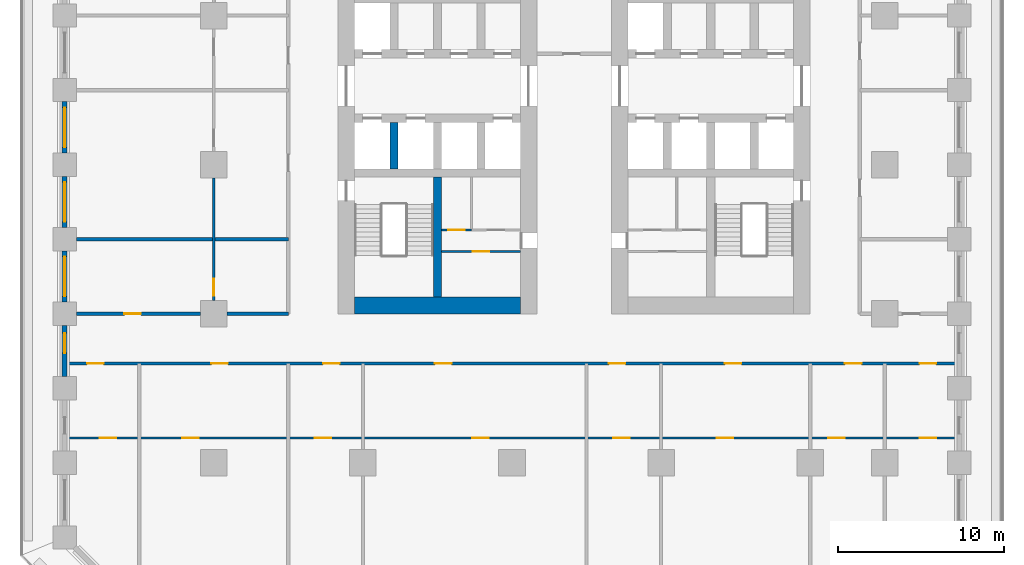
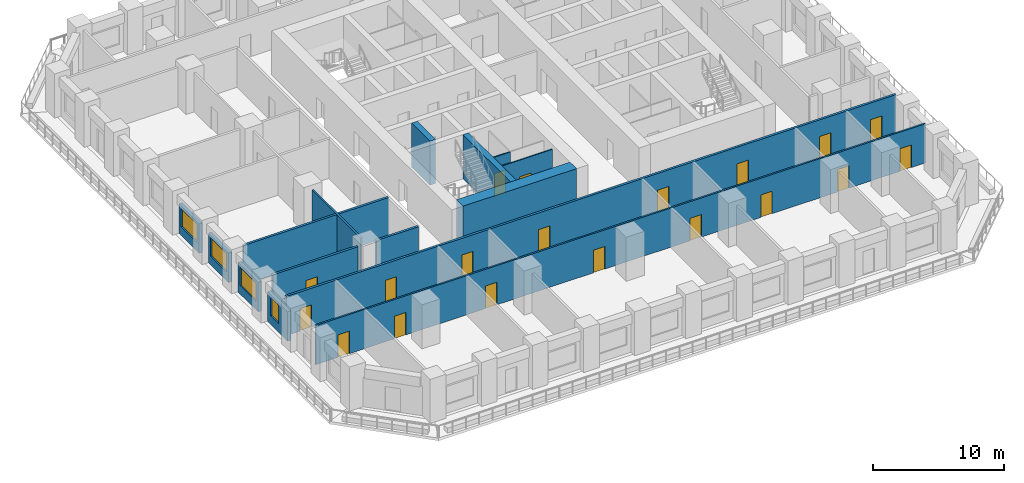
# One storey, part 3 of 12: 20 doors, 15 walls, 4 windows, 24 openings.
"""IFC4 building model written with IfcOpenShell, lengths in metres."""

from ifc_helpers import new_model, si_unit, direction, frame, frame_2d, origin, place, context, subcontext, project, spatial, rectangle, extrude, material, layer, layer_set, type_object, element, fill, save


model = new_model("IFC4")

# Units and contexts
model_context = context("Model", 3, precision=1e-05, world=origin(), true_north=direction((0.0, 1.0)))
body_context = subcontext(model_context, "Body", "Model", "MODEL_VIEW")
ifc_project = project(units=[si_unit("LENGTHUNIT", "METRE"), si_unit("AREAUNIT", "SQUARE_METRE"), si_unit("VOLUMEUNIT", "CUBIC_METRE"), si_unit("PLANEANGLEUNIT", "RADIAN"), si_unit("MASSUNIT", "GRAM", prefix="KILO")], contexts=[model_context])

# Site, building, storey
site_placement = place(None, origin())
site = spatial("IfcSite", under=ifc_project, at=site_placement, CompositionType="ELEMENT")
building_placement = place(site_placement, origin())
building = spatial("IfcBuilding", under=site, at=building_placement, Name="Corbel Stack Research Tower", CompositionType="ELEMENT")
storey_placement = place(building_placement, frame((0.0, 0.0, 27.699951171875)))
storey = spatial("IfcBuildingStorey", under=building, at=storey_placement, Name="L06", CompositionType="ELEMENT", Elevation=27.699951171875)

# Walls
ifc_material_1 = material(Name="Concrete C70/85", Category="concrete")
ifc_layer_1 = layer(ifc_material_1, 1.0)
ifc_layer_set_1 = layer_set([ifc_layer_1], Name="Concrete C70/85")
wall_type_1 = type_object("IfcWallType", Name="CW-1000-70", PredefinedType="SHEAR", material=ifc_layer_set_1)
wall_1_placement = place(storey_placement, frame((-9.5, -8.5, 0.0), z_axis=(0.0, 0.0, 1.0), x_axis=(1.0, 0.0, 0.0)))
element("IfcWall", 1, at=wall_1_placement, inside=storey, type_object=wall_type_1, Name="West core wall, south end L06", PredefinedType="SHEAR", context=body_context, shape_type="SweptSolid", body=[
    extrude(rectangle(XDim=10.0, YDim=1.0, at=frame_2d((5.0, 0.0))), origin(), (0.0, 0.0, 1.0), 4.10009765625),
])
ifc_material_2 = material(Name="Concrete C70/85", Category="concrete")
ifc_layer_2 = layer(ifc_material_2, 0.5)
ifc_layer_set_2 = layer_set([ifc_layer_2], Name="Concrete C70/85")
wall_type_2 = type_object("IfcWallType", Name="CW-500-70", PredefinedType="SHEAR", material=ifc_layer_set_2)
wall_2_placement = place(storey_placement, frame((-7.125, -0.25, 0.0), z_axis=(0.0, 0.0, 1.0), x_axis=(0.0, 1.0, 0.0)))
element("IfcWall", 2, at=wall_2_placement, inside=storey, type_object=wall_type_2, Name="West core wall, south shaft 1 L06", PredefinedType="SHEAR", context=body_context, shape_type="SweptSolid", body=[
    extrude(rectangle(XDim=2.800048828125, YDim=0.5, at=frame_2d((1.39990234375, 0.0))), origin(), (0.0, 0.0, 1.0), 4.10009765625),
])
wall_3_placement = place(storey_placement, frame((-4.5, -8.0, 0.0), z_axis=(0.0, 0.0, 1.0), x_axis=(0.0, 1.0, 0.0)))
element("IfcWall", 3, at=wall_3_placement, inside=storey, type_object=wall_type_2, Name="West core wall, south stair and WC L06", PredefinedType="SHEAR", context=body_context, shape_type="SweptSolid", body=[
    extrude(rectangle(XDim=7.25, YDim=0.5, at=frame_2d((3.625, 0.0))), origin(), (0.0, 0.0, 1.0), 4.10009765625),
])

# Wall, opening, door
ifc_material_3 = material(Name="Gypsum board")
ifc_layer_3 = layer(ifc_material_3, 0.10009765625)
ifc_layer_set_3 = layer_set([ifc_layer_3], Name="Gypsum board")
wall_type_3 = type_object("IfcWallType", Name="Core partition 100", PredefinedType="PARTITIONING", material=ifc_layer_set_3)
wall_4_placement = place(storey_placement, frame((-4.25, -5.2451171875, 0.0), z_axis=(0.0, 0.0, 1.0), x_axis=(1.0, 0.0, 0.0)))
wall_4 = element("IfcWall", 4, at=wall_4_placement, inside=storey, type_object=wall_type_3, Name="Core partition W", PredefinedType="PARTITIONING", context=body_context, shape_type="SweptSolid", body=[
    extrude(rectangle(XDim=4.75, YDim=0.10009765625, at=frame_2d((2.375, 0.0))), origin(), (0.0, 0.0, 1.0), 3.650146484375),
])
opening_1_placement = place(wall_4_placement, frame((1.875, 0.0, 0.0)))
opening_1 = element("IfcOpeningElement", 5, at=opening_1_placement, cuts=wall_4, Name="Opening CR-W24-W2-1000", PredefinedType="OPENING", context=body_context, shape_type="SweptSolid", body=[
    extrude(rectangle(XDim=1.0, YDim=2.10009765625, at=frame_2d((0.5, 1.050048828125))), frame((0.0, 0.06005859375, 0.0), z_axis=(0.0, -1.0, 0.0), x_axis=(1.0, 0.0, 0.0)), (0.0, 0.0, 1.0), 0.1201171875),
])
ifc_material_4 = material(Name="Painted timber door", Category="wood")
door_type_1 = type_object("IfcDoorType", Name="WC door 1000 x 2100 right hand", OperationType="SINGLE_SWING_RIGHT", PredefinedType="DOOR", material=ifc_material_4)
door_1_placement = place(opening_1_placement, origin())
door_1 = element("IfcDoor", 6, at=door_1_placement, inside=storey, type_object=door_type_1, Name="Men's WC door W core", OperationType="SINGLE_SWING_RIGHT", OverallHeight=2.10009765625, OverallWidth=1.0, PredefinedType="DOOR", context=body_context, shape_type="SweptSolid", body=[
    extrude(rectangle(XDim=1.0, YDim=2.10009765625, at=frame_2d((0.5, 1.050048828125))), frame((0.0, 0.02490234375, 0.0), z_axis=(0.0, -1.0, 0.0), x_axis=(1.0, 0.0, 0.0)), (0.0, 0.0, 1.0), 0.050048828125),
])
fill(opening_1, door_1)

wall_5_placement = place(storey_placement, frame((-4.25, -3.93994140625, 0.0), z_axis=(0.0, 0.0, 1.0), x_axis=(1.0, 0.0, 0.0)))
wall_5 = element("IfcWall", 7, at=wall_5_placement, inside=storey, type_object=wall_type_3, Name="Core partition W", PredefinedType="PARTITIONING", context=body_context, shape_type="SweptSolid", body=[
    extrude(rectangle(XDim=1.804931640625, YDim=0.10009765625, at=frame_2d((0.90234375, 0.0))), origin(), (0.0, 0.0, 1.0), 3.650146484375),
])
opening_2_placement = place(wall_5_placement, frame((0.402587890625, 0.0, 0.0)))
opening_2 = element("IfcOpeningElement", 8, at=opening_2_placement, cuts=wall_5, Name="Opening CR-W24-W4-1000", PredefinedType="OPENING", context=body_context, shape_type="SweptSolid", body=[
    extrude(rectangle(XDim=1.0, YDim=2.10009765625, at=frame_2d((0.5, 1.050048828125))), frame((0.0, 0.06005859375, 0.0), z_axis=(0.0, -1.0, 0.0), x_axis=(1.0, 0.0, 0.0)), (0.0, 0.0, 1.0), 0.1201171875),
])
door_2_placement = place(opening_2_placement, origin())
door_2 = element("IfcDoor", 9, at=door_2_placement, inside=storey, type_object=door_type_1, Name="Accessible WC door W core", OperationType="SINGLE_SWING_RIGHT", OverallHeight=2.10009765625, OverallWidth=1.0, PredefinedType="DOOR", context=body_context, shape_type="SweptSolid", body=[
    extrude(rectangle(XDim=1.0, YDim=2.10009765625, at=frame_2d((0.5, 1.050048828125))), frame((0.0, 0.02490234375, 0.0), z_axis=(0.0, -1.0, 0.0), x_axis=(1.0, 0.0, 0.0)), (0.0, 0.0, 1.0), 0.050048828125),
])
fill(opening_2, door_2)

# Wall, openings, doors
ifc_material_5 = material(Name="Fire-rated gypsum board partition on steel studs", Category="steel")
ifc_layer_4 = layer(ifc_material_5, 0.199951171875)
ifc_layer_set_4 = layer_set([ifc_layer_4], Name="Fire-rated gypsum board partition on steel studs")
wall_type_4 = type_object("IfcWallType", Name="Fire-rated partition 200 EI 60", PredefinedType="PARTITIONING", material=ifc_layer_set_4)
wall_6_placement = place(storey_placement, frame((26.85009765625, -12.0, 0.0), z_axis=(0.0, 0.0, 1.0), x_axis=(-1.0, 0.0, 0.0)))
wall_6 = element("IfcWall", 10, at=wall_6_placement, inside=storey, type_object=wall_type_4, Name="Partition L06-025", PredefinedType="PARTITIONING", context=body_context, shape_type="SweptSolid", body=[
    extrude(rectangle(XDim=53.7001953125, YDim=0.199951171875, at=frame_2d((26.85009765625, 0.0))), origin(), (0.0, 0.0, 1.0), 3.650146484375),
])
opening_3_placement = place(wall_6_placement, frame((51.5, 0.0, 0.0)))
opening_3 = element("IfcOpeningElement", 11, at=opening_3_placement, cuts=wall_6, Name="Opening B1V1-016", PredefinedType="OPENING", context=body_context, shape_type="SweptSolid", body=[
    extrude(rectangle(XDim=1.0, YDim=2.10009765625, at=frame_2d((0.5, 1.050048828125))), frame((0.0, 0.10986328125, 0.0), z_axis=(0.0, -1.0, 0.0), x_axis=(1.0, 0.0, 0.0)), (0.0, 0.0, 1.0), 0.219970703125),
])
opening_4_placement = place(wall_6_placement, frame((44.0, 0.0, 0.0)))
opening_4 = element("IfcOpeningElement", 12, at=opening_4_placement, cuts=wall_6, Name="Opening B1V1-017", PredefinedType="OPENING", context=body_context, shape_type="SweptSolid", body=[
    extrude(rectangle(XDim=1.0, YDim=2.10009765625, at=frame_2d((0.5, 1.050048828125))), frame((0.0, 0.10986328125, 0.0), z_axis=(0.0, -1.0, 0.0), x_axis=(1.0, 0.0, 0.0)), (0.0, 0.0, 1.0), 0.219970703125),
])
opening_5_placement = place(wall_6_placement, frame((37.25, 0.0, 0.0)))
opening_5 = element("IfcOpeningElement", 13, at=opening_5_placement, cuts=wall_6, Name="Opening B1V1-018", PredefinedType="OPENING", context=body_context, shape_type="SweptSolid", body=[
    extrude(rectangle(XDim=1.0, YDim=2.10009765625, at=frame_2d((0.5, 1.050048828125))), frame((0.0, 0.10986328125, 0.0), z_axis=(0.0, -1.0, 0.0), x_axis=(1.0, 0.0, 0.0)), (0.0, 0.0, 1.0), 0.219970703125),
])
opening_6_placement = place(wall_6_placement, frame((30.5, 0.0, 0.0)))
opening_6 = element("IfcOpeningElement", 14, at=opening_6_placement, cuts=wall_6, Name="Opening B1V1-019", PredefinedType="OPENING", context=body_context, shape_type="SweptSolid", body=[
    extrude(rectangle(XDim=1.0, YDim=2.10009765625, at=frame_2d((0.5, 1.050048828125))), frame((0.0, 0.10986328125, 0.0), z_axis=(0.0, -1.0, 0.0), x_axis=(1.0, 0.0, 0.0)), (0.0, 0.0, 1.0), 0.219970703125),
])
opening_7_placement = place(wall_6_placement, frame((20.0, 0.0, 0.0)))
opening_7 = element("IfcOpeningElement", 15, at=opening_7_placement, cuts=wall_6, Name="Opening B1V1-020", PredefinedType="OPENING", context=body_context, shape_type="SweptSolid", body=[
    extrude(rectangle(XDim=1.0, YDim=2.10009765625, at=frame_2d((0.5, 1.050048828125))), frame((0.0, 0.10986328125, 0.0), z_axis=(0.0, -1.0, 0.0), x_axis=(1.0, 0.0, 0.0)), (0.0, 0.0, 1.0), 0.219970703125),
])
opening_8_placement = place(wall_6_placement, frame((13.0, 0.0, 0.0)))
opening_8 = element("IfcOpeningElement", 16, at=opening_8_placement, cuts=wall_6, Name="Opening B1V1-021", PredefinedType="OPENING", context=body_context, shape_type="SweptSolid", body=[
    extrude(rectangle(XDim=1.0, YDim=2.10009765625, at=frame_2d((0.5, 1.050048828125))), frame((0.0, 0.10986328125, 0.0), z_axis=(0.0, -1.0, 0.0), x_axis=(1.0, 0.0, 0.0)), (0.0, 0.0, 1.0), 0.219970703125),
])
opening_9_placement = place(wall_6_placement, frame((5.75, 0.0, 0.0)))
opening_9 = element("IfcOpeningElement", 17, at=opening_9_placement, cuts=wall_6, Name="Opening B1V1-022", PredefinedType="OPENING", context=body_context, shape_type="SweptSolid", body=[
    extrude(rectangle(XDim=1.0, YDim=2.10009765625, at=frame_2d((0.5, 1.050048828125))), frame((0.0, 0.10986328125, 0.0), z_axis=(0.0, -1.0, 0.0), x_axis=(1.0, 0.0, 0.0)), (0.0, 0.0, 1.0), 0.219970703125),
])
opening_10_placement = place(wall_6_placement, frame((1.25, 0.0, 0.0)))
opening_10 = element("IfcOpeningElement", 18, at=opening_10_placement, cuts=wall_6, Name="Opening B1V1-023", PredefinedType="OPENING", context=body_context, shape_type="SweptSolid", body=[
    extrude(rectangle(XDim=1.0, YDim=2.10009765625, at=frame_2d((0.5, 1.050048828125))), frame((0.0, 0.10986328125, 0.0), z_axis=(0.0, -1.0, 0.0), x_axis=(1.0, 0.0, 0.0)), (0.0, 0.0, 1.0), 0.219970703125),
])
ifc_material_6 = material(Name="Painted steel fire door", Category="steel")
door_type_2 = type_object("IfcDoorType", Name="Fire door FD30S 1000 x 2100", OperationType="NOTDEFINED", PredefinedType="DOOR", material=ifc_material_6)
door_3_placement = place(opening_3_placement, origin())
door_3 = element("IfcDoor", 19, at=door_3_placement, inside=storey, type_object=door_type_2, Name="Door B1V1-016", OperationType="SINGLE_SWING_RIGHT", OverallHeight=2.10009765625, OverallWidth=1.0, PredefinedType="DOOR", context=body_context, shape_type="SweptSolid", body=[
    extrude(rectangle(XDim=1.0, YDim=2.10009765625, at=frame_2d((0.5, 1.050048828125))), frame((0.0, 0.02490234375, 0.0), z_axis=(0.0, -1.0, 0.0), x_axis=(1.0, 0.0, 0.0)), (0.0, 0.0, 1.0), 0.050048828125),
])
fill(opening_3, door_3)
door_4_placement = place(opening_4_placement, origin())
door_4 = element("IfcDoor", 20, at=door_4_placement, inside=storey, type_object=door_type_2, Name="Door B1V1-017", OperationType="SINGLE_SWING_RIGHT", OverallHeight=2.10009765625, OverallWidth=1.0, PredefinedType="DOOR", context=body_context, shape_type="SweptSolid", body=[
    extrude(rectangle(XDim=1.0, YDim=2.10009765625, at=frame_2d((0.5, 1.050048828125))), frame((0.0, 0.02490234375, 0.0), z_axis=(0.0, -1.0, 0.0), x_axis=(1.0, 0.0, 0.0)), (0.0, 0.0, 1.0), 0.050048828125),
])
fill(opening_4, door_4)
door_5_placement = place(opening_5_placement, origin())
door_5 = element("IfcDoor", 21, at=door_5_placement, inside=storey, type_object=door_type_2, Name="Door B1V1-018", OperationType="SINGLE_SWING_RIGHT", OverallHeight=2.10009765625, OverallWidth=1.0, PredefinedType="DOOR", context=body_context, shape_type="SweptSolid", body=[
    extrude(rectangle(XDim=1.0, YDim=2.10009765625, at=frame_2d((0.5, 1.050048828125))), frame((0.0, 0.02490234375, 0.0), z_axis=(0.0, -1.0, 0.0), x_axis=(1.0, 0.0, 0.0)), (0.0, 0.0, 1.0), 0.050048828125),
])
fill(opening_5, door_5)
door_6_placement = place(opening_6_placement, origin())
door_6 = element("IfcDoor", 22, at=door_6_placement, inside=storey, type_object=door_type_2, Name="Door B1V1-019", OperationType="SINGLE_SWING_RIGHT", OverallHeight=2.10009765625, OverallWidth=1.0, PredefinedType="DOOR", context=body_context, shape_type="SweptSolid", body=[
    extrude(rectangle(XDim=1.0, YDim=2.10009765625, at=frame_2d((0.5, 1.050048828125))), frame((0.0, 0.02490234375, 0.0), z_axis=(0.0, -1.0, 0.0), x_axis=(1.0, 0.0, 0.0)), (0.0, 0.0, 1.0), 0.050048828125),
])
fill(opening_6, door_6)
door_7_placement = place(opening_7_placement, origin())
door_7 = element("IfcDoor", 23, at=door_7_placement, inside=storey, type_object=door_type_2, Name="Door B1V1-020", OperationType="SINGLE_SWING_LEFT", OverallHeight=2.10009765625, OverallWidth=1.0, PredefinedType="DOOR", context=body_context, shape_type="SweptSolid", body=[
    extrude(rectangle(XDim=1.0, YDim=2.10009765625, at=frame_2d((0.5, 1.050048828125))), frame((0.0, 0.02490234375, 0.0), z_axis=(0.0, -1.0, 0.0), x_axis=(1.0, 0.0, 0.0)), (0.0, 0.0, 1.0), 0.050048828125),
])
fill(opening_7, door_7)
door_8_placement = place(opening_8_placement, origin())
door_8 = element("IfcDoor", 24, at=door_8_placement, inside=storey, type_object=door_type_2, Name="Door B1V1-021", OperationType="SINGLE_SWING_LEFT", OverallHeight=2.10009765625, OverallWidth=1.0, PredefinedType="DOOR", context=body_context, shape_type="SweptSolid", body=[
    extrude(rectangle(XDim=1.0, YDim=2.10009765625, at=frame_2d((0.5, 1.050048828125))), frame((0.0, 0.02490234375, 0.0), z_axis=(0.0, -1.0, 0.0), x_axis=(1.0, 0.0, 0.0)), (0.0, 0.0, 1.0), 0.050048828125),
])
fill(opening_8, door_8)
door_9_placement = place(opening_9_placement, origin())
door_9 = element("IfcDoor", 25, at=door_9_placement, inside=storey, type_object=door_type_2, Name="Door B1V1-022", OperationType="SINGLE_SWING_LEFT", OverallHeight=2.10009765625, OverallWidth=1.0, PredefinedType="DOOR", context=body_context, shape_type="SweptSolid", body=[
    extrude(rectangle(XDim=1.0, YDim=2.10009765625, at=frame_2d((0.5, 1.050048828125))), frame((0.0, 0.02490234375, 0.0), z_axis=(0.0, -1.0, 0.0), x_axis=(1.0, 0.0, 0.0)), (0.0, 0.0, 1.0), 0.050048828125),
])
fill(opening_9, door_9)
door_10_placement = place(opening_10_placement, origin())
door_10 = element("IfcDoor", 26, at=door_10_placement, inside=storey, type_object=door_type_2, Name="Door B1V1-023", OperationType="SINGLE_SWING_LEFT", OverallHeight=2.10009765625, OverallWidth=1.0, PredefinedType="DOOR", context=body_context, shape_type="SweptSolid", body=[
    extrude(rectangle(XDim=1.0, YDim=2.10009765625, at=frame_2d((0.5, 1.050048828125))), frame((0.0, 0.02490234375, 0.0), z_axis=(0.0, -1.0, 0.0), x_axis=(1.0, 0.0, 0.0)), (0.0, 0.0, 1.0), 0.050048828125),
])
fill(opening_10, door_10)

# Wall, opening, door
wall_7_placement = place(storey_placement, frame((-26.300048828125, -9.0, 0.0), z_axis=(0.0, 0.0, 1.0), x_axis=(1.0, 0.0, 0.0)))
wall_7 = element("IfcWall", 27, at=wall_7_placement, inside=storey, type_object=wall_type_4, Name="Partition L06-026", PredefinedType="PARTITIONING", context=body_context, shape_type="SweptSolid", body=[
    extrude(rectangle(XDim=7.5, YDim=0.199951171875, at=frame_2d((3.75, 0.0))), origin(), (0.0, 0.0, 1.0), 3.650146484375),
])
opening_11_placement = place(wall_7_placement, frame((2.89990234375, 0.0, 0.0)))
opening_11 = element("IfcOpeningElement", 28, at=opening_11_placement, cuts=wall_7, Name="Opening B1V1-024", PredefinedType="OPENING", context=body_context, shape_type="SweptSolid", body=[
    extrude(rectangle(XDim=1.0, YDim=2.10009765625, at=frame_2d((0.5, 1.050048828125))), frame((0.0, 0.10986328125, 0.0), z_axis=(0.0, -1.0, 0.0), x_axis=(1.0, 0.0, 0.0)), (0.0, 0.0, 1.0), 0.219970703125),
])
door_11_placement = place(opening_11_placement, origin())
door_11 = element("IfcDoor", 29, at=door_11_placement, inside=storey, type_object=door_type_2, Name="Door B1V1-024", OperationType="SINGLE_SWING_LEFT", OverallHeight=2.10009765625, OverallWidth=1.0, PredefinedType="DOOR", context=body_context, shape_type="SweptSolid", body=[
    extrude(rectangle(XDim=1.0, YDim=2.10009765625, at=frame_2d((0.5, 1.050048828125))), frame((0.0, 0.02490234375, 0.0), z_axis=(0.0, -1.0, 0.0), x_axis=(1.0, 0.0, 0.0)), (0.0, 0.0, 1.0), 0.050048828125),
])
fill(opening_11, door_11)

# Walls
wall_8_placement = place(storey_placement, frame((-17.199951171875, -9.0, 0.0), z_axis=(0.0, 0.0, 1.0), x_axis=(1.0, 0.0, 0.0)))
element("IfcWall", 30, at=wall_8_placement, inside=storey, type_object=wall_type_4, Name="Partition L06-027", PredefinedType="PARTITIONING", context=body_context, shape_type="SweptSolid", body=[
    extrude(rectangle(XDim=3.699951171875, YDim=0.199951171875, at=frame_2d((1.85009765625, 0.0))), origin(), (0.0, 0.0, 1.0), 3.650146484375),
])
wall_9_placement = place(storey_placement, frame((-26.300048828125, -4.5, 0.0), z_axis=(0.0, 0.0, 1.0), x_axis=(1.0, 0.0, 0.0)))
element("IfcWall", 31, at=wall_9_placement, inside=storey, type_object=wall_type_4, Name="Partition L06-030", PredefinedType="PARTITIONING", context=body_context, shape_type="SweptSolid", body=[
    extrude(rectangle(XDim=12.800048828125, YDim=0.199951171875, at=frame_2d((6.39990234375, 0.0))), origin(), (0.0, 0.0, 1.0), 3.650146484375),
])

# Wall, opening, door
ifc_material_7 = material(Name="Gypsum board partition on steel studs", Category="steel")
ifc_layer_5 = layer(ifc_material_7, 0.14990234375)
ifc_layer_set_5 = layer_set([ifc_layer_5], Name="Gypsum board partition on steel studs")
wall_type_5 = type_object("IfcWallType", Name="Partition 150", PredefinedType="PARTITIONING", material=ifc_layer_set_5)
wall_10_placement = place(storey_placement, frame((-18.0, -0.800048828125, 0.0), z_axis=(0.0, 0.0, 1.0), x_axis=(0.0, -1.0, 0.0)))
wall_10 = element("IfcWall", 32, at=wall_10_placement, inside=storey, type_object=wall_type_5, Name="Partition L06-003", PredefinedType="PARTITIONING", context=body_context, shape_type="SweptSolid", body=[
    extrude(rectangle(XDim=7.39990234375, YDim=0.14990234375, at=frame_2d((3.699951171875, 0.0))), origin(), (0.0, 0.0, 1.0), 3.650146484375),
])
opening_12_placement = place(wall_10_placement, frame((6.10009765625, 0.0, 0.0)))
opening_12 = element("IfcOpeningElement", 33, at=opening_12_placement, cuts=wall_10, Name="Opening B1V1-001", PredefinedType="OPENING", context=body_context, shape_type="SweptSolid", body=[
    extrude(rectangle(XDim=1.0, YDim=2.10009765625, at=frame_2d((0.5, 1.050048828125))), frame((0.0, 0.0849609375, 0.0), z_axis=(0.0, -1.0, 0.0), x_axis=(1.0, 0.0, 0.0)), (0.0, 0.0, 1.0), 0.169921875),
])
ifc_material_8 = material(Name="Painted timber door", Category="wood")
door_type_3 = type_object("IfcDoorType", Name="Single door 1000 x 2100", OperationType="NOTDEFINED", PredefinedType="DOOR", material=ifc_material_8)
door_12_placement = place(opening_12_placement, origin())
door_12 = element("IfcDoor", 34, at=door_12_placement, inside=storey, type_object=door_type_3, Name="Door B1V1-001", OperationType="SINGLE_SWING_RIGHT", OverallHeight=2.10009765625, OverallWidth=1.0, PredefinedType="DOOR", context=body_context, shape_type="SweptSolid", body=[
    extrude(rectangle(XDim=1.0, YDim=2.10009765625, at=frame_2d((0.5, 1.050048828125))), frame((0.0, 0.02490234375, 0.0), z_axis=(0.0, -1.0, 0.0), x_axis=(1.0, 0.0, 0.0)), (0.0, 0.0, 1.0), 0.050048828125),
])
fill(opening_12, door_12)

# Wall, openings, doors
wall_11_placement = place(storey_placement, frame((26.85009765625, -16.5, 0.0), z_axis=(0.0, 0.0, 1.0), x_axis=(-1.0, 0.0, 0.0)))
wall_11 = element("IfcWall", 35, at=wall_11_placement, inside=storey, type_object=wall_type_5, Name="Partition L06-024", PredefinedType="PARTITIONING", context=body_context, shape_type="SweptSolid", body=[
    extrude(rectangle(XDim=53.7001953125, YDim=0.14990234375, at=frame_2d((26.85009765625, 0.0))), origin(), (0.0, 0.0, 1.0), 3.650146484375),
])
opening_13_placement = place(wall_11_placement, frame((50.75, 0.0, 0.0)))
opening_13 = element("IfcOpeningElement", 36, at=opening_13_placement, cuts=wall_11, Name="Opening B1V1-005", PredefinedType="OPENING", context=body_context, shape_type="SweptSolid", body=[
    extrude(rectangle(XDim=1.0, YDim=2.10009765625, at=frame_2d((0.5, 1.050048828125))), frame((0.0, 0.0849609375, 0.0), z_axis=(0.0, -1.0, 0.0), x_axis=(1.0, 0.0, 0.0)), (0.0, 0.0, 1.0), 0.169921875),
])
opening_14_placement = place(wall_11_placement, frame((45.75, 0.0, 0.0)))
opening_14 = element("IfcOpeningElement", 37, at=opening_14_placement, cuts=wall_11, Name="Opening B1V1-006", PredefinedType="OPENING", context=body_context, shape_type="SweptSolid", body=[
    extrude(rectangle(XDim=1.0, YDim=2.10009765625, at=frame_2d((0.5, 1.050048828125))), frame((0.0, 0.0849609375, 0.0), z_axis=(0.0, -1.0, 0.0), x_axis=(1.0, 0.0, 0.0)), (0.0, 0.0, 1.0), 0.169921875),
])
opening_15_placement = place(wall_11_placement, frame((37.75, 0.0, 0.0)))
opening_15 = element("IfcOpeningElement", 38, at=opening_15_placement, cuts=wall_11, Name="Opening B1V1-007", PredefinedType="OPENING", context=body_context, shape_type="SweptSolid", body=[
    extrude(rectangle(XDim=1.0, YDim=2.10009765625, at=frame_2d((0.5, 1.050048828125))), frame((0.0, 0.0849609375, 0.0), z_axis=(0.0, -1.0, 0.0), x_axis=(1.0, 0.0, 0.0)), (0.0, 0.0, 1.0), 0.169921875),
])
opening_16_placement = place(wall_11_placement, frame((28.25, 0.0, 0.0)))
opening_16 = element("IfcOpeningElement", 39, at=opening_16_placement, cuts=wall_11, Name="Opening B1V1-008", PredefinedType="OPENING", context=body_context, shape_type="SweptSolid", body=[
    extrude(rectangle(XDim=1.0, YDim=2.10009765625, at=frame_2d((0.5, 1.050048828125))), frame((0.0, 0.0849609375, 0.0), z_axis=(0.0, -1.0, 0.0), x_axis=(1.0, 0.0, 0.0)), (0.0, 0.0, 1.0), 0.169921875),
])
opening_17_placement = place(wall_11_placement, frame((19.75, 0.0, 0.0)))
opening_17 = element("IfcOpeningElement", 40, at=opening_17_placement, cuts=wall_11, Name="Opening B1V1-009", PredefinedType="OPENING", context=body_context, shape_type="SweptSolid", body=[
    extrude(rectangle(XDim=1.0, YDim=2.10009765625, at=frame_2d((0.5, 1.050048828125))), frame((0.0, 0.0849609375, 0.0), z_axis=(0.0, -1.0, 0.0), x_axis=(1.0, 0.0, 0.0)), (0.0, 0.0, 1.0), 0.169921875),
])
opening_18_placement = place(wall_11_placement, frame((13.5, 0.0, 0.0)))
opening_18 = element("IfcOpeningElement", 41, at=opening_18_placement, cuts=wall_11, Name="Opening B1V1-010", PredefinedType="OPENING", context=body_context, shape_type="SweptSolid", body=[
    extrude(rectangle(XDim=1.0, YDim=2.10009765625, at=frame_2d((0.5, 1.050048828125))), frame((0.0, 0.0849609375, 0.0), z_axis=(0.0, -1.0, 0.0), x_axis=(1.0, 0.0, 0.0)), (0.0, 0.0, 1.0), 0.169921875),
])
opening_19_placement = place(wall_11_placement, frame((6.75, 0.0, 0.0)))
opening_19 = element("IfcOpeningElement", 42, at=opening_19_placement, cuts=wall_11, Name="Opening B1V1-011", PredefinedType="OPENING", context=body_context, shape_type="SweptSolid", body=[
    extrude(rectangle(XDim=1.0, YDim=2.10009765625, at=frame_2d((0.5, 1.050048828125))), frame((0.0, 0.0849609375, 0.0), z_axis=(0.0, -1.0, 0.0), x_axis=(1.0, 0.0, 0.0)), (0.0, 0.0, 1.0), 0.169921875),
])
opening_20_placement = place(wall_11_placement, frame((1.25, 0.0, 0.0)))
opening_20 = element("IfcOpeningElement", 43, at=opening_20_placement, cuts=wall_11, Name="Opening B1V1-012", PredefinedType="OPENING", context=body_context, shape_type="SweptSolid", body=[
    extrude(rectangle(XDim=1.0, YDim=2.10009765625, at=frame_2d((0.5, 1.050048828125))), frame((0.0, 0.0849609375, 0.0), z_axis=(0.0, -1.0, 0.0), x_axis=(1.0, 0.0, 0.0)), (0.0, 0.0, 1.0), 0.169921875),
])
door_13_placement = place(opening_13_placement, origin())
door_13 = element("IfcDoor", 44, at=door_13_placement, inside=storey, type_object=door_type_3, Name="Door B1V1-005", OperationType="SINGLE_SWING_RIGHT", OverallHeight=2.10009765625, OverallWidth=1.0, PredefinedType="DOOR", context=body_context, shape_type="SweptSolid", body=[
    extrude(rectangle(XDim=1.0, YDim=2.10009765625, at=frame_2d((0.5, 1.050048828125))), frame((0.0, 0.02490234375, 0.0), z_axis=(0.0, -1.0, 0.0), x_axis=(1.0, 0.0, 0.0)), (0.0, 0.0, 1.0), 0.050048828125),
])
fill(opening_13, door_13)
door_14_placement = place(opening_14_placement, origin())
door_14 = element("IfcDoor", 45, at=door_14_placement, inside=storey, type_object=door_type_3, Name="Door B1V1-006", OperationType="SINGLE_SWING_RIGHT", OverallHeight=2.10009765625, OverallWidth=1.0, PredefinedType="DOOR", context=body_context, shape_type="SweptSolid", body=[
    extrude(rectangle(XDim=1.0, YDim=2.10009765625, at=frame_2d((0.5, 1.050048828125))), frame((0.0, 0.02490234375, 0.0), z_axis=(0.0, -1.0, 0.0), x_axis=(1.0, 0.0, 0.0)), (0.0, 0.0, 1.0), 0.050048828125),
])
fill(opening_14, door_14)
door_15_placement = place(opening_15_placement, origin())
door_15 = element("IfcDoor", 46, at=door_15_placement, inside=storey, type_object=door_type_3, Name="Door B1V1-007", OperationType="SINGLE_SWING_RIGHT", OverallHeight=2.10009765625, OverallWidth=1.0, PredefinedType="DOOR", context=body_context, shape_type="SweptSolid", body=[
    extrude(rectangle(XDim=1.0, YDim=2.10009765625, at=frame_2d((0.5, 1.050048828125))), frame((0.0, 0.02490234375, 0.0), z_axis=(0.0, -1.0, 0.0), x_axis=(1.0, 0.0, 0.0)), (0.0, 0.0, 1.0), 0.050048828125),
])
fill(opening_15, door_15)
door_16_placement = place(opening_16_placement, origin())
door_16 = element("IfcDoor", 47, at=door_16_placement, inside=storey, type_object=door_type_3, Name="Door B1V1-008", OperationType="SINGLE_SWING_RIGHT", OverallHeight=2.10009765625, OverallWidth=1.0, PredefinedType="DOOR", context=body_context, shape_type="SweptSolid", body=[
    extrude(rectangle(XDim=1.0, YDim=2.10009765625, at=frame_2d((0.5, 1.050048828125))), frame((0.0, 0.02490234375, 0.0), z_axis=(0.0, -1.0, 0.0), x_axis=(1.0, 0.0, 0.0)), (0.0, 0.0, 1.0), 0.050048828125),
])
fill(opening_16, door_16)
door_17_placement = place(opening_17_placement, origin())
door_17 = element("IfcDoor", 48, at=door_17_placement, inside=storey, type_object=door_type_3, Name="Door B1V1-009", OperationType="SINGLE_SWING_LEFT", OverallHeight=2.10009765625, OverallWidth=1.0, PredefinedType="DOOR", context=body_context, shape_type="SweptSolid", body=[
    extrude(rectangle(XDim=1.0, YDim=2.10009765625, at=frame_2d((0.5, 1.050048828125))), frame((0.0, 0.02490234375, 0.0), z_axis=(0.0, -1.0, 0.0), x_axis=(1.0, 0.0, 0.0)), (0.0, 0.0, 1.0), 0.050048828125),
])
fill(opening_17, door_17)
door_18_placement = place(opening_18_placement, origin())
door_18 = element("IfcDoor", 49, at=door_18_placement, inside=storey, type_object=door_type_3, Name="Door B1V1-010", OperationType="SINGLE_SWING_LEFT", OverallHeight=2.10009765625, OverallWidth=1.0, PredefinedType="DOOR", context=body_context, shape_type="SweptSolid", body=[
    extrude(rectangle(XDim=1.0, YDim=2.10009765625, at=frame_2d((0.5, 1.050048828125))), frame((0.0, 0.02490234375, 0.0), z_axis=(0.0, -1.0, 0.0), x_axis=(1.0, 0.0, 0.0)), (0.0, 0.0, 1.0), 0.050048828125),
])
fill(opening_18, door_18)
door_19_placement = place(opening_19_placement, origin())
door_19 = element("IfcDoor", 50, at=door_19_placement, inside=storey, type_object=door_type_3, Name="Door B1V1-011", OperationType="SINGLE_SWING_LEFT", OverallHeight=2.10009765625, OverallWidth=1.0, PredefinedType="DOOR", context=body_context, shape_type="SweptSolid", body=[
    extrude(rectangle(XDim=1.0, YDim=2.10009765625, at=frame_2d((0.5, 1.050048828125))), frame((0.0, 0.02490234375, 0.0), z_axis=(0.0, -1.0, 0.0), x_axis=(1.0, 0.0, 0.0)), (0.0, 0.0, 1.0), 0.050048828125),
])
fill(opening_19, door_19)
door_20_placement = place(opening_20_placement, origin())
door_20 = element("IfcDoor", 51, at=door_20_placement, inside=storey, type_object=door_type_3, Name="Door B1V1-012", OperationType="SINGLE_SWING_LEFT", OverallHeight=2.10009765625, OverallWidth=1.0, PredefinedType="DOOR", context=body_context, shape_type="SweptSolid", body=[
    extrude(rectangle(XDim=1.0, YDim=2.10009765625, at=frame_2d((0.5, 1.050048828125))), frame((0.0, 0.02490234375, 0.0), z_axis=(0.0, -1.0, 0.0), x_axis=(1.0, 0.0, 0.0)), (0.0, 0.0, 1.0), 0.050048828125),
])
fill(opening_20, door_20)

# Wall, opening, window
ifc_material_9 = material(Name="Concrete C45/55", Category="concrete")
ifc_layer_6 = layer(ifc_material_9, 0.300048828125)
ifc_layer_set_6 = layer_set([ifc_layer_6], Name="Concrete C45/55")
wall_type_6 = type_object("IfcWallType", Name="Terracotta-faced concrete wall 300", PredefinedType="SOLIDWALL", material=ifc_layer_set_6)
wall_12_placement = place(storey_placement, frame((-27.0, 0.699951171875, 0.0), z_axis=(0.0, 0.0, 1.0), x_axis=(0.0, 1.0, 0.0)))
wall_12 = element("IfcWall", 52, at=wall_12_placement, inside=storey, type_object=wall_type_6, Name="Facade wall L06 W05", PredefinedType="SOLIDWALL", context=body_context, shape_type="SweptSolid", body=[
    extrude(rectangle(XDim=3.10009765625, YDim=0.300048828125, at=frame_2d((1.550048828125, 0.0))), origin(), (0.0, 0.0, 1.0), 2.75),
])
opening_21_placement = place(wall_12_placement, frame((0.35009765625, 0.0, 0.800048828125)))
opening_21 = element("IfcOpeningElement", 53, at=opening_21_placement, cuts=wall_12, Name="Opening W1", PredefinedType="OPENING", context=body_context, shape_type="SweptSolid", body=[
    extrude(rectangle(XDim=2.39990234375, YDim=1.699951171875, at=frame_2d((1.199951171875, 0.85009765625))), frame((0.0, 0.159912109375, 0.0), z_axis=(0.0, -1.0, 0.0), x_axis=(1.0, 0.0, 0.0)), (0.0, 0.0, 1.0), 0.320068359375),
])
ifc_material_10 = material(Name="Aluminium frame, clear double glazing", Category="aluminium")
window_type_1 = type_object("IfcWindowType", Name="Window W1 2400 x 1700", PartitioningType="SINGLE_PANEL", PredefinedType="WINDOW", material=ifc_material_10)
window_1_placement = place(opening_21_placement, origin())
window_1 = element("IfcWindow", 54, at=window_1_placement, inside=storey, type_object=window_type_1, Name="Window W1 L06 W05", OverallHeight=1.699951171875, OverallWidth=2.39990234375, PartitioningType="SINGLE_PANEL", PredefinedType="WINDOW", context=body_context, shape_type="SweptSolid", body=[
    extrude(rectangle(XDim=2.39990234375, YDim=1.699951171875, at=frame_2d((1.199951171875, 0.85009765625))), frame((0.0, 0.030029296875, 0.0), z_axis=(0.0, -1.0, 0.0), x_axis=(1.0, 0.0, 0.0)), (0.0, 0.0, 1.0), 0.06005859375),
])
fill(opening_21, window_1)

wall_13_placement = place(storey_placement, frame((-27.0, -3.800048828125, 0.0), z_axis=(0.0, 0.0, 1.0), x_axis=(0.0, 1.0, 0.0)))
wall_13 = element("IfcWall", 55, at=wall_13_placement, inside=storey, type_object=wall_type_6, Name="Facade wall L06 W06", PredefinedType="SOLIDWALL", context=body_context, shape_type="SweptSolid", body=[
    extrude(rectangle(XDim=3.10009765625, YDim=0.300048828125, at=frame_2d((1.550048828125, 0.0))), origin(), (0.0, 0.0, 1.0), 2.75),
])
opening_22_placement = place(wall_13_placement, frame((0.35009765625, 0.0, 0.800048828125)))
opening_22 = element("IfcOpeningElement", 56, at=opening_22_placement, cuts=wall_13, Name="Opening W1", PredefinedType="OPENING", context=body_context, shape_type="SweptSolid", body=[
    extrude(rectangle(XDim=2.39990234375, YDim=1.699951171875, at=frame_2d((1.199951171875, 0.85009765625))), frame((0.0, 0.159912109375, 0.0), z_axis=(0.0, -1.0, 0.0), x_axis=(1.0, 0.0, 0.0)), (0.0, 0.0, 1.0), 0.320068359375),
])
window_2_placement = place(opening_22_placement, origin())
window_2 = element("IfcWindow", 57, at=window_2_placement, inside=storey, type_object=window_type_1, Name="Window W1 L06 W06", OverallHeight=1.699951171875, OverallWidth=2.39990234375, PartitioningType="SINGLE_PANEL", PredefinedType="WINDOW", context=body_context, shape_type="SweptSolid", body=[
    extrude(rectangle(XDim=2.39990234375, YDim=1.699951171875, at=frame_2d((1.199951171875, 0.85009765625))), frame((0.0, 0.030029296875, 0.0), z_axis=(0.0, -1.0, 0.0), x_axis=(1.0, 0.0, 0.0)), (0.0, 0.0, 1.0), 0.06005859375),
])
fill(opening_22, window_2)

wall_14_placement = place(storey_placement, frame((-27.0, -8.300048828125, 0.0), z_axis=(0.0, 0.0, 1.0), x_axis=(0.0, 1.0, 0.0)))
wall_14 = element("IfcWall", 58, at=wall_14_placement, inside=storey, type_object=wall_type_6, Name="Facade wall L06 W07", PredefinedType="SOLIDWALL", context=body_context, shape_type="SweptSolid", body=[
    extrude(rectangle(XDim=3.10009765625, YDim=0.300048828125, at=frame_2d((1.550048828125, 0.0))), origin(), (0.0, 0.0, 1.0), 2.75),
])
opening_23_placement = place(wall_14_placement, frame((0.35009765625, 0.0, 0.800048828125)))
opening_23 = element("IfcOpeningElement", 59, at=opening_23_placement, cuts=wall_14, Name="Opening W1", PredefinedType="OPENING", context=body_context, shape_type="SweptSolid", body=[
    extrude(rectangle(XDim=2.39990234375, YDim=1.699951171875, at=frame_2d((1.199951171875, 0.85009765625))), frame((0.0, 0.159912109375, 0.0), z_axis=(0.0, -1.0, 0.0), x_axis=(1.0, 0.0, 0.0)), (0.0, 0.0, 1.0), 0.320068359375),
])
window_3_placement = place(opening_23_placement, origin())
window_3 = element("IfcWindow", 60, at=window_3_placement, inside=storey, type_object=window_type_1, Name="Window W1 L06 W07", OverallHeight=1.699951171875, OverallWidth=2.39990234375, PartitioningType="SINGLE_PANEL", PredefinedType="WINDOW", context=body_context, shape_type="SweptSolid", body=[
    extrude(rectangle(XDim=2.39990234375, YDim=1.699951171875, at=frame_2d((1.199951171875, 0.85009765625))), frame((0.0, 0.030029296875, 0.0), z_axis=(0.0, -1.0, 0.0), x_axis=(1.0, 0.0, 0.0)), (0.0, 0.0, 1.0), 0.06005859375),
])
fill(opening_23, window_3)

wall_15_placement = place(storey_placement, frame((-27.0, -12.800048828125, 0.0), z_axis=(0.0, 0.0, 1.0), x_axis=(0.0, 1.0, 0.0)))
wall_15 = element("IfcWall", 61, at=wall_15_placement, inside=storey, type_object=wall_type_6, Name="Facade wall L06 W08", PredefinedType="SOLIDWALL", context=body_context, shape_type="SweptSolid", body=[
    extrude(rectangle(XDim=3.10009765625, YDim=0.300048828125, at=frame_2d((1.550048828125, 0.0))), origin(), (0.0, 0.0, 1.0), 2.75),
])
opening_24_placement = place(wall_15_placement, frame((1.425048828125, 0.0, 0.800048828125)))
opening_24 = element("IfcOpeningElement", 62, at=opening_24_placement, cuts=wall_15, Name="Opening W2", PredefinedType="OPENING", context=body_context, shape_type="SweptSolid", body=[
    extrude(rectangle(XDim=1.199951171875, YDim=1.699951171875, at=frame_2d((0.60009765625, 0.85009765625))), frame((0.0, 0.159912109375, 0.0), z_axis=(0.0, -1.0, 0.0), x_axis=(1.0, 0.0, 0.0)), (0.0, 0.0, 1.0), 0.320068359375),
])
ifc_material_11 = material(Name="Aluminium frame, clear double glazing", Category="aluminium")
window_type_2 = type_object("IfcWindowType", Name="Window W2 1200 x 1700", PartitioningType="SINGLE_PANEL", PredefinedType="WINDOW", material=ifc_material_11)
window_4_placement = place(opening_24_placement, origin())
window_4 = element("IfcWindow", 63, at=window_4_placement, inside=storey, type_object=window_type_2, Name="Window W2 L06 W08", OverallHeight=1.699951171875, OverallWidth=1.199951171875, PartitioningType="SINGLE_PANEL", PredefinedType="WINDOW", context=body_context, shape_type="SweptSolid", body=[
    extrude(rectangle(XDim=1.199951171875, YDim=1.699951171875, at=frame_2d((0.60009765625, 0.85009765625))), frame((0.0, 0.030029296875, 0.0), z_axis=(0.0, -1.0, 0.0), x_axis=(1.0, 0.0, 0.0)), (0.0, 0.0, 1.0), 0.06005859375),
])
fill(opening_24, window_4)

save(model, "model.ifc")
